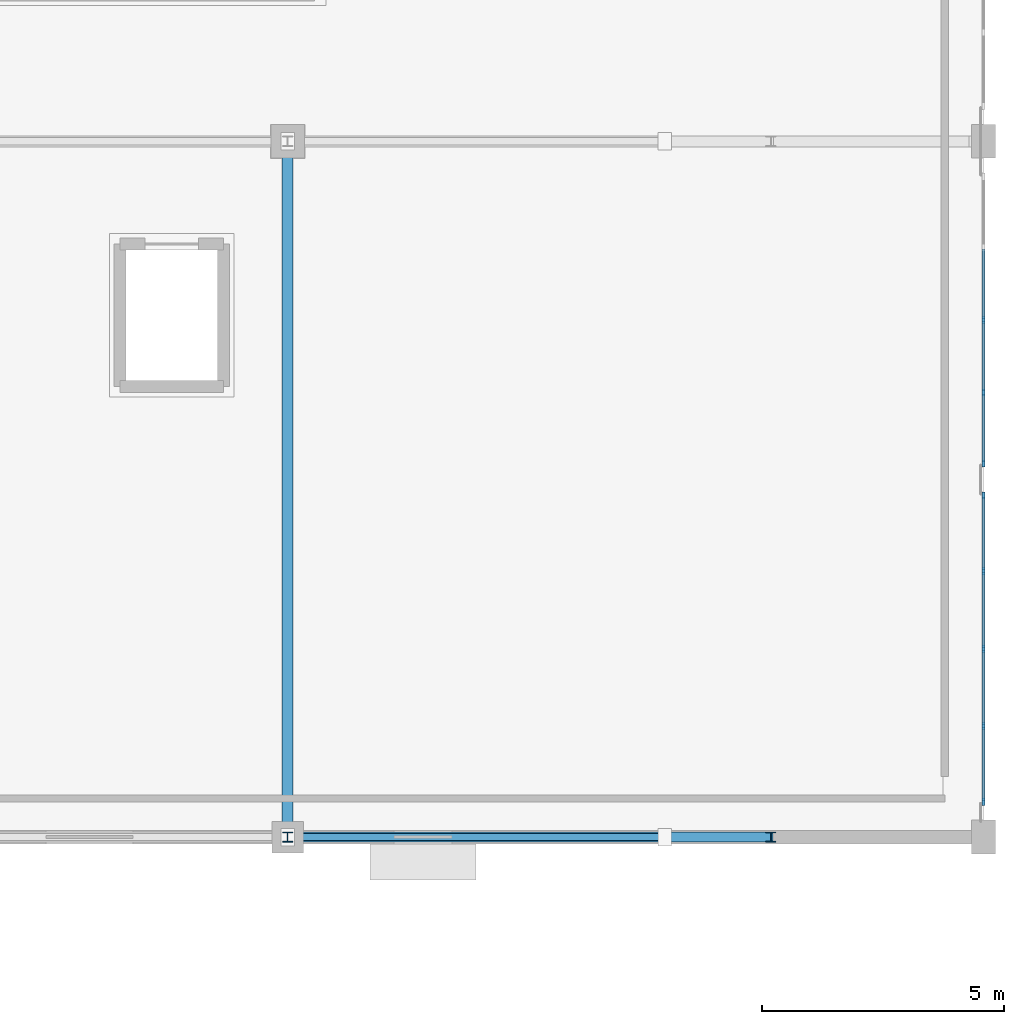
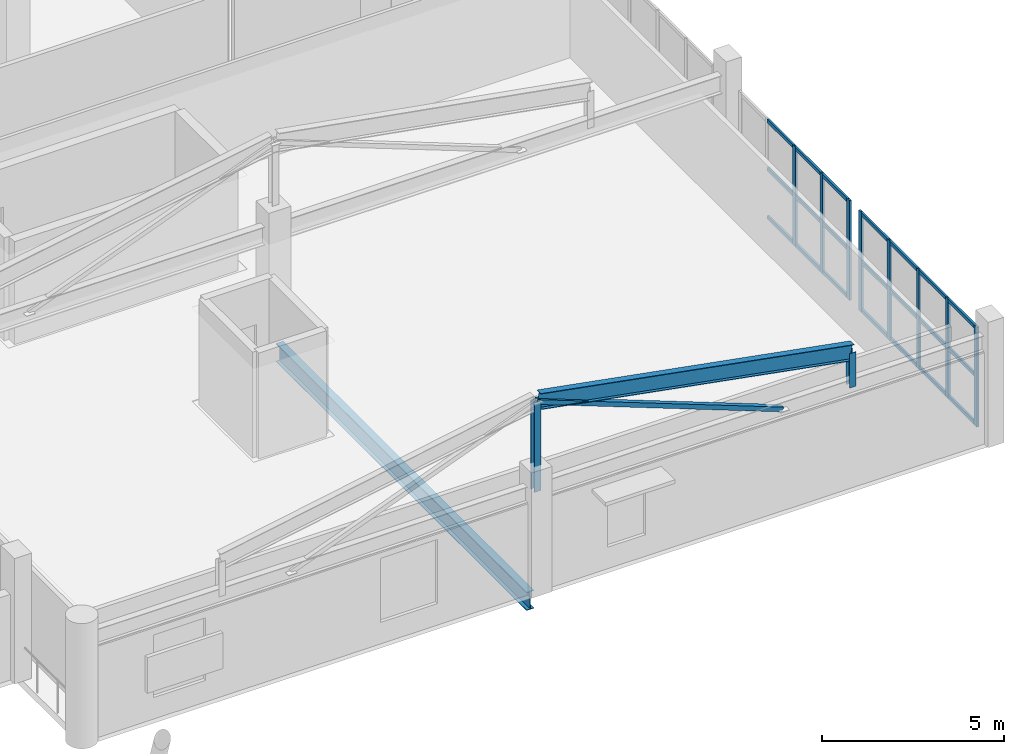
# One storey, part 33 of 92: 32 members, 2 beams, 2 elements without a shape of their own.
"""IFC4 building model written with IfcOpenShell, lengths in metres."""

from ifc_helpers import new_model, si_unit, direction, frame, origin, origin_2d, place, context, subcontext, project, spatial, rectangle, hollow_rectangle, i_section, extrude, material, material_profile, profile_set, type_object, element, aggregate, save


model = new_model("IFC4")

# Units and contexts
model_context = context("Model", 3, precision=1e-05, world=origin(), true_north=direction((0.0, 1.0)))
body_context = subcontext(model_context, "Body", "Model", "MODEL_VIEW")
ifc_project = project(units=[si_unit("LENGTHUNIT", "METRE"), si_unit("AREAUNIT", "SQUARE_METRE"), si_unit("VOLUMEUNIT", "CUBIC_METRE"), si_unit("PLANEANGLEUNIT", "RADIAN"), si_unit("MASSUNIT", "GRAM", prefix="KILO")], contexts=[model_context])

# Site, building, storey
site_placement = place(None, origin())
site = spatial("IfcSite", under=ifc_project, at=site_placement, CompositionType="ELEMENT")
building_placement = place(site_placement, origin())
building = spatial("IfcBuilding", under=site, at=building_placement, Name="Solanera Park Tramway Depot", CompositionType="ELEMENT")
storey_placement = place(building_placement, frame((0.0, 0.0, 4.800048828125)))
storey = spatial("IfcBuildingStorey", under=building, at=storey_placement, Name="L01", CompositionType="ELEMENT", Elevation=4.800048828125)

# Curtain wall, members
ifc_material_1 = material(Name="Bronze-anodised thermally broken aluminium curtain wall", Category="aluminium")
curtain_wall_type = type_object("IfcCurtainWallType", Name="Parkfront Loggia Curtain Wall", PredefinedType="NOTDEFINED", material=ifc_material_1)
curtain_wall_1_placement = place(storey_placement, origin())
curtain_wall_1 = element("IfcCurtainWall", 1, at=curtain_wall_1_placement, inside=storey, type_object=curtain_wall_type, Name="L01 Parkfront Loggia Curtain Wall #133", PredefinedType="NOTDEFINED")
ifc_material_2 = material(Name="Bronze-anodised structural aluminium 6063-T6", Category="aluminium")
ifc_material_profile_1 = material_profile(ifc_material_2, rectangle(XDim=0.06494140625, YDim=0.14990234375, at=origin_2d()), Name="Curtain Wall Mullion 65x150")
ifc_profile_set_1 = profile_set([ifc_material_profile_1], Name="Bronze-anodised structural aluminium 6063-T6")
member_type_1 = type_object("IfcMemberType", Name="Curtain Wall Mullion 65x150", PredefinedType="MULLION", material=ifc_profile_set_1)
member_1_placement = place(storey_placement, frame((216.0, 7.9326171875, 0.0), z_axis=(0.0, 0.0, 1.0), x_axis=(1.0, 0.0, 0.0)))
member_1 = element("IfcMember", 2, at=member_1_placement, type_object=member_type_1, Name="CW-L01-133 Mullion 1", PredefinedType="MULLION", context=body_context, shape_type="SweptSolid", body=[
    extrude(rectangle(XDim=0.06494140625, YDim=0.14990234375, at=origin_2d()), origin(), (0.0, 0.0, 1.0), 3.349853515625),
])
member_2_placement = place(storey_placement, frame((216.0, 9.5, 0.0), z_axis=(0.0, 0.0, 1.0), x_axis=(1.0, 0.0, 0.0)))
member_2 = element("IfcMember", 3, at=member_2_placement, type_object=member_type_1, Name="CW-L01-133 Mullion 2", PredefinedType="MULLION", context=body_context, shape_type="SweptSolid", body=[
    extrude(rectangle(XDim=0.06494140625, YDim=0.14990234375, at=origin_2d()), origin(), (0.0, 0.0, 1.0), 3.349853515625),
])
member_3_placement = place(storey_placement, frame((216.0, 11.10009765625, 0.0), z_axis=(0.0, 0.0, 1.0), x_axis=(1.0, 0.0, 0.0)))
member_3 = element("IfcMember", 4, at=member_3_placement, type_object=member_type_1, Name="CW-L01-133 Mullion 3", PredefinedType="MULLION", context=body_context, shape_type="SweptSolid", body=[
    extrude(rectangle(XDim=0.06494140625, YDim=0.14990234375, at=origin_2d()), origin(), (0.0, 0.0, 1.0), 3.349853515625),
])
member_4_placement = place(storey_placement, frame((216.0, 12.699951171875, 0.0), z_axis=(0.0, 0.0, 1.0), x_axis=(1.0, 0.0, 0.0)))
member_4 = element("IfcMember", 5, at=member_4_placement, type_object=member_type_1, Name="CW-L01-133 Mullion 4", PredefinedType="MULLION", context=body_context, shape_type="SweptSolid", body=[
    extrude(rectangle(XDim=0.06494140625, YDim=0.14990234375, at=origin_2d()), origin(), (0.0, 0.0, 1.0), 3.349853515625),
])
member_5_placement = place(storey_placement, frame((216.0, 14.267578125, 0.0), z_axis=(0.0, 0.0, 1.0), x_axis=(1.0, 0.0, 0.0)))
member_5 = element("IfcMember", 6, at=member_5_placement, type_object=member_type_1, Name="CW-L01-133 Mullion 5", PredefinedType="MULLION", context=body_context, shape_type="SweptSolid", body=[
    extrude(rectangle(XDim=0.06494140625, YDim=0.14990234375, at=origin_2d()), origin(), (0.0, 0.0, 1.0), 3.349853515625),
])

curtain_wall_2_placement = place(storey_placement, origin())
curtain_wall_2 = element("IfcCurtainWall", 7, at=curtain_wall_2_placement, inside=storey, type_object=curtain_wall_type, Name="L01 Parkfront Loggia Curtain Wall #134", PredefinedType="NOTDEFINED")
member_6_placement = place(storey_placement, frame((216.0, 14.9326171875, 0.0), z_axis=(0.0, 0.0, 1.0), x_axis=(1.0, 0.0, 0.0)))
member_6 = element("IfcMember", 8, at=member_6_placement, type_object=member_type_1, Name="CW-L01-134 Mullion 1", PredefinedType="MULLION", context=body_context, shape_type="SweptSolid", body=[
    extrude(rectangle(XDim=0.06494140625, YDim=0.14990234375, at=origin_2d()), origin(), (0.0, 0.0, 1.0), 3.349853515625),
])
member_7_placement = place(storey_placement, frame((216.0, 16.39990234375, 0.0), z_axis=(0.0, 0.0, 1.0), x_axis=(1.0, 0.0, 0.0)))
member_7 = element("IfcMember", 9, at=member_7_placement, type_object=member_type_1, Name="CW-L01-134 Mullion 2", PredefinedType="MULLION", context=body_context, shape_type="SweptSolid", body=[
    extrude(rectangle(XDim=0.06494140625, YDim=0.14990234375, at=origin_2d()), origin(), (0.0, 0.0, 1.0), 3.349853515625),
])
member_8_placement = place(storey_placement, frame((216.0, 17.89990234375, 0.0), z_axis=(0.0, 0.0, 1.0), x_axis=(1.0, 0.0, 0.0)))
member_8 = element("IfcMember", 10, at=member_8_placement, type_object=member_type_1, Name="CW-L01-134 Mullion 3", PredefinedType="MULLION", context=body_context, shape_type="SweptSolid", body=[
    extrude(rectangle(XDim=0.06494140625, YDim=0.14990234375, at=origin_2d()), origin(), (0.0, 0.0, 1.0), 3.349853515625),
])

# Member
ifc_material_3 = material(Name="Bronze-anodised structural aluminium 6063-T6", Category="aluminium")
ifc_material_profile_2 = material_profile(ifc_material_3, rectangle(XDim=0.06494140625, YDim=0.1201171875, at=origin_2d()), Name="Curtain Wall Transom 65x120")
ifc_profile_set_2 = profile_set([ifc_material_profile_2], Name="Bronze-anodised structural aluminium 6063-T6")
member_type_2 = type_object("IfcMemberType", Name="Curtain Wall Transom 65x120", PredefinedType="USERDEFINED", material=ifc_profile_set_2)
member_9_placement = place(storey_placement, frame((216.0, 7.96044921875, 0.06005859375), z_axis=(0.0, 1.0, 0.0), x_axis=(-1.0, 0.0, 0.0)))
member_9 = element("IfcMember", 11, at=member_9_placement, type_object=member_type_2, Name="CW-L01-133 Transom R1.C1", ObjectType="TRANSOM", PredefinedType="USERDEFINED", context=body_context, shape_type="SweptSolid", body=[
    extrude(rectangle(XDim=0.06494140625, YDim=0.1201171875, at=origin_2d()), origin(), (0.0, 0.0, 1.0), 1.511474609375),
])

member_10_placement = place(storey_placement, frame((216.0, 9.528076171875, 0.06005859375), z_axis=(0.0, 1.0, 0.0), x_axis=(-1.0, 0.0, 0.0)))
member_10 = element("IfcMember", 12, at=member_10_placement, type_object=member_type_2, Name="CW-L01-133 Transom R1.C2", ObjectType="TRANSOM", PredefinedType="USERDEFINED", context=body_context, shape_type="SweptSolid", body=[
    extrude(rectangle(XDim=0.06494140625, YDim=0.1201171875, at=origin_2d()), origin(), (0.0, 0.0, 1.0), 1.5439453125),
])

member_11_placement = place(storey_placement, frame((216.0, 11.1279296875, 0.06005859375), z_axis=(0.0, 1.0, 0.0), x_axis=(-1.0, 0.0, 0.0)))
member_11 = element("IfcMember", 13, at=member_11_placement, type_object=member_type_2, Name="CW-L01-133 Transom R1.C3", ObjectType="TRANSOM", PredefinedType="USERDEFINED", context=body_context, shape_type="SweptSolid", body=[
    extrude(rectangle(XDim=0.06494140625, YDim=0.1201171875, at=origin_2d()), origin(), (0.0, 0.0, 1.0), 1.544189453125),
])

member_12_placement = place(storey_placement, frame((216.0, 12.72802734375, 0.06005859375), z_axis=(0.0, 1.0, 0.0), x_axis=(-1.0, 0.0, 0.0)))
member_12 = element("IfcMember", 14, at=member_12_placement, type_object=member_type_2, Name="CW-L01-133 Transom R1.C4", ObjectType="TRANSOM", PredefinedType="USERDEFINED", context=body_context, shape_type="SweptSolid", body=[
    extrude(rectangle(XDim=0.06494140625, YDim=0.1201171875, at=origin_2d()), origin(), (0.0, 0.0, 1.0), 1.511474609375),
])

member_13_placement = place(storey_placement, frame((216.0, 7.96044921875, 1.675048828125), z_axis=(0.0, 1.0, 0.0), x_axis=(-1.0, 0.0, 0.0)))
member_13 = element("IfcMember", 15, at=member_13_placement, type_object=member_type_2, Name="CW-L01-133 Transom R2.C1", ObjectType="TRANSOM", PredefinedType="USERDEFINED", context=body_context, shape_type="SweptSolid", body=[
    extrude(rectangle(XDim=0.06494140625, YDim=0.1201171875, at=origin_2d()), origin(), (0.0, 0.0, 1.0), 1.511474609375),
])

member_14_placement = place(storey_placement, frame((216.0, 9.528076171875, 1.675048828125), z_axis=(0.0, 1.0, 0.0), x_axis=(-1.0, 0.0, 0.0)))
member_14 = element("IfcMember", 16, at=member_14_placement, type_object=member_type_2, Name="CW-L01-133 Transom R2.C2", ObjectType="TRANSOM", PredefinedType="USERDEFINED", context=body_context, shape_type="SweptSolid", body=[
    extrude(rectangle(XDim=0.06494140625, YDim=0.1201171875, at=origin_2d()), origin(), (0.0, 0.0, 1.0), 1.5439453125),
])

member_15_placement = place(storey_placement, frame((216.0, 11.1279296875, 1.675048828125), z_axis=(0.0, 1.0, 0.0), x_axis=(-1.0, 0.0, 0.0)))
member_15 = element("IfcMember", 17, at=member_15_placement, type_object=member_type_2, Name="CW-L01-133 Transom R2.C3", ObjectType="TRANSOM", PredefinedType="USERDEFINED", context=body_context, shape_type="SweptSolid", body=[
    extrude(rectangle(XDim=0.06494140625, YDim=0.1201171875, at=origin_2d()), origin(), (0.0, 0.0, 1.0), 1.544189453125),
])

member_16_placement = place(storey_placement, frame((216.0, 12.72802734375, 1.675048828125), z_axis=(0.0, 1.0, 0.0), x_axis=(-1.0, 0.0, 0.0)))
member_16 = element("IfcMember", 18, at=member_16_placement, type_object=member_type_2, Name="CW-L01-133 Transom R2.C4", ObjectType="TRANSOM", PredefinedType="USERDEFINED", context=body_context, shape_type="SweptSolid", body=[
    extrude(rectangle(XDim=0.06494140625, YDim=0.1201171875, at=origin_2d()), origin(), (0.0, 0.0, 1.0), 1.511474609375),
])

member_17_placement = place(storey_placement, frame((216.0, 7.96044921875, 3.2900390625), z_axis=(0.0, 1.0, 0.0), x_axis=(-1.0, 0.0, 0.0)))
member_17 = element("IfcMember", 19, at=member_17_placement, type_object=member_type_2, Name="CW-L01-133 Transom R3.C1", ObjectType="TRANSOM", PredefinedType="USERDEFINED", context=body_context, shape_type="SweptSolid", body=[
    extrude(rectangle(XDim=0.06494140625, YDim=0.1201171875, at=origin_2d()), origin(), (0.0, 0.0, 1.0), 1.511474609375),
])

member_18_placement = place(storey_placement, frame((216.0, 9.528076171875, 3.2900390625), z_axis=(0.0, 1.0, 0.0), x_axis=(-1.0, 0.0, 0.0)))
member_18 = element("IfcMember", 20, at=member_18_placement, type_object=member_type_2, Name="CW-L01-133 Transom R3.C2", ObjectType="TRANSOM", PredefinedType="USERDEFINED", context=body_context, shape_type="SweptSolid", body=[
    extrude(rectangle(XDim=0.06494140625, YDim=0.1201171875, at=origin_2d()), origin(), (0.0, 0.0, 1.0), 1.5439453125),
])

member_19_placement = place(storey_placement, frame((216.0, 11.1279296875, 3.2900390625), z_axis=(0.0, 1.0, 0.0), x_axis=(-1.0, 0.0, 0.0)))
member_19 = element("IfcMember", 21, at=member_19_placement, type_object=member_type_2, Name="CW-L01-133 Transom R3.C3", ObjectType="TRANSOM", PredefinedType="USERDEFINED", context=body_context, shape_type="SweptSolid", body=[
    extrude(rectangle(XDim=0.06494140625, YDim=0.1201171875, at=origin_2d()), origin(), (0.0, 0.0, 1.0), 1.544189453125),
])

member_20_placement = place(storey_placement, frame((216.0, 12.72802734375, 3.2900390625), z_axis=(0.0, 1.0, 0.0), x_axis=(-1.0, 0.0, 0.0)))
member_20 = element("IfcMember", 22, at=member_20_placement, type_object=member_type_2, Name="CW-L01-133 Transom R3.C4", ObjectType="TRANSOM", PredefinedType="USERDEFINED", context=body_context, shape_type="SweptSolid", body=[
    extrude(rectangle(XDim=0.06494140625, YDim=0.1201171875, at=origin_2d()), origin(), (0.0, 0.0, 1.0), 1.511474609375),
])

aggregate(curtain_wall_1, [member_1, member_2, member_3, member_4, member_5, member_9, member_10, member_11, member_12, member_13, member_14, member_15, member_16, member_17, member_18, member_19, member_20])

member_21_placement = place(storey_placement, frame((216.0, 14.96044921875, 0.06005859375), z_axis=(0.0, 1.0, 0.0), x_axis=(-1.0, 0.0, 0.0)))
member_21 = element("IfcMember", 23, at=member_21_placement, type_object=member_type_2, Name="CW-L01-134 Transom R1.C1", ObjectType="TRANSOM", PredefinedType="USERDEFINED", context=body_context, shape_type="SweptSolid", body=[
    extrude(rectangle(XDim=0.06494140625, YDim=0.1201171875, at=origin_2d()), origin(), (0.0, 0.0, 1.0), 1.41162109375),
])

member_22_placement = place(storey_placement, frame((216.0, 16.427978515625, 0.06005859375), z_axis=(0.0, 1.0, 0.0), x_axis=(-1.0, 0.0, 0.0)))
member_22 = element("IfcMember", 24, at=member_22_placement, type_object=member_type_2, Name="CW-L01-134 Transom R1.C2", ObjectType="TRANSOM", PredefinedType="USERDEFINED", context=body_context, shape_type="SweptSolid", body=[
    extrude(rectangle(XDim=0.06494140625, YDim=0.1201171875, at=origin_2d()), origin(), (0.0, 0.0, 1.0), 1.444091796875),
])

member_23_placement = place(storey_placement, frame((216.0, 17.927978515625, 0.06005859375), z_axis=(0.0, 1.0, 0.0), x_axis=(-1.0, 0.0, 0.0)))
member_23 = element("IfcMember", 25, at=member_23_placement, type_object=member_type_2, Name="CW-L01-134 Transom R1.C3", ObjectType="TRANSOM", PredefinedType="USERDEFINED", context=body_context, shape_type="SweptSolid", body=[
    extrude(rectangle(XDim=0.06494140625, YDim=0.1201171875, at=origin_2d()), origin(), (0.0, 0.0, 1.0), 1.444091796875),
])

member_24_placement = place(storey_placement, frame((216.0, 14.96044921875, 1.675048828125), z_axis=(0.0, 1.0, 0.0), x_axis=(-1.0, 0.0, 0.0)))
member_24 = element("IfcMember", 26, at=member_24_placement, type_object=member_type_2, Name="CW-L01-134 Transom R2.C1", ObjectType="TRANSOM", PredefinedType="USERDEFINED", context=body_context, shape_type="SweptSolid", body=[
    extrude(rectangle(XDim=0.06494140625, YDim=0.1201171875, at=origin_2d()), origin(), (0.0, 0.0, 1.0), 1.41162109375),
])

member_25_placement = place(storey_placement, frame((216.0, 16.427978515625, 1.675048828125), z_axis=(0.0, 1.0, 0.0), x_axis=(-1.0, 0.0, 0.0)))
member_25 = element("IfcMember", 27, at=member_25_placement, type_object=member_type_2, Name="CW-L01-134 Transom R2.C2", ObjectType="TRANSOM", PredefinedType="USERDEFINED", context=body_context, shape_type="SweptSolid", body=[
    extrude(rectangle(XDim=0.06494140625, YDim=0.1201171875, at=origin_2d()), origin(), (0.0, 0.0, 1.0), 1.444091796875),
])

member_26_placement = place(storey_placement, frame((216.0, 17.927978515625, 1.675048828125), z_axis=(0.0, 1.0, 0.0), x_axis=(-1.0, 0.0, 0.0)))
member_26 = element("IfcMember", 28, at=member_26_placement, type_object=member_type_2, Name="CW-L01-134 Transom R2.C3", ObjectType="TRANSOM", PredefinedType="USERDEFINED", context=body_context, shape_type="SweptSolid", body=[
    extrude(rectangle(XDim=0.06494140625, YDim=0.1201171875, at=origin_2d()), origin(), (0.0, 0.0, 1.0), 1.444091796875),
])

member_27_placement = place(storey_placement, frame((216.0, 14.96044921875, 3.2900390625), z_axis=(0.0, 1.0, 0.0), x_axis=(-1.0, 0.0, 0.0)))
member_27 = element("IfcMember", 29, at=member_27_placement, type_object=member_type_2, Name="CW-L01-134 Transom R3.C1", ObjectType="TRANSOM", PredefinedType="USERDEFINED", context=body_context, shape_type="SweptSolid", body=[
    extrude(rectangle(XDim=0.06494140625, YDim=0.1201171875, at=origin_2d()), origin(), (0.0, 0.0, 1.0), 1.41162109375),
])

member_28_placement = place(storey_placement, frame((216.0, 16.427978515625, 3.2900390625), z_axis=(0.0, 1.0, 0.0), x_axis=(-1.0, 0.0, 0.0)))
member_28 = element("IfcMember", 30, at=member_28_placement, type_object=member_type_2, Name="CW-L01-134 Transom R3.C2", ObjectType="TRANSOM", PredefinedType="USERDEFINED", context=body_context, shape_type="SweptSolid", body=[
    extrude(rectangle(XDim=0.06494140625, YDim=0.1201171875, at=origin_2d()), origin(), (0.0, 0.0, 1.0), 1.444091796875),
])

member_29_placement = place(storey_placement, frame((216.0, 17.927978515625, 3.2900390625), z_axis=(0.0, 1.0, 0.0), x_axis=(-1.0, 0.0, 0.0)))
member_29 = element("IfcMember", 31, at=member_29_placement, type_object=member_type_2, Name="CW-L01-134 Transom R3.C3", ObjectType="TRANSOM", PredefinedType="USERDEFINED", context=body_context, shape_type="SweptSolid", body=[
    extrude(rectangle(XDim=0.06494140625, YDim=0.1201171875, at=origin_2d()), origin(), (0.0, 0.0, 1.0), 1.444091796875),
])

aggregate(curtain_wall_2, [member_6, member_7, member_8, member_21, member_22, member_23, member_24, member_25, member_26, member_27, member_28, member_29])

# Members
ifc_material_4 = material(Name="Steel AS/NZS 3679.1 Grade 350", Category="steel")
ifc_material_profile_3 = material_profile(ifc_material_4, i_section(OverallWidth=0.205078125, OverallDepth=0.209716796875, WebThickness=0.00927734375, FlangeThickness=0.01416015625, at=origin_2d()), Name="200UC59.5")
ifc_profile_set_3 = profile_set([ifc_material_profile_3], Name="Steel AS/NZS 3679.1 Grade 350")
member_type_3 = type_object("IfcMemberType", Name="Roof Gantry Compression Strut 200UC59.5", PredefinedType="STRUT", material=ifc_profile_set_3)
member_30_placement = place(storey_placement, frame((211.60009765625, 7.199951171875, 3.33837890625), z_axis=(0.0, 0.0, 1.0), x_axis=(1.0, 0.0, 0.0)))
element("IfcMember", 32, at=member_30_placement, inside=storey, type_object=member_type_3, Name="Hip ROOF TRUSS Heel Post #0174", PredefinedType="STRUT", context=body_context, shape_type="SweptSolid", body=[
    extrude(i_section(OverallWidth=0.205078125, OverallDepth=0.209716796875, WebThickness=0.00927734375, FlangeThickness=0.01416015625, at=origin_2d()), origin(), (0.0, 0.0, 1.0), 1.148193359375),
])
member_31_placement = place(storey_placement, frame((201.60009765625, 7.199951171875, 3.33837890625), z_axis=(0.0, 0.0, 1.0), x_axis=(1.0, 0.0, 0.0)))
element("IfcMember", 33, at=member_31_placement, inside=storey, type_object=member_type_3, Name="Hip ROOF TRUSS King Post #0175", PredefinedType="STRUT", context=body_context, shape_type="SweptSolid", body=[
    extrude(i_section(OverallWidth=0.205078125, OverallDepth=0.209716796875, WebThickness=0.00927734375, FlangeThickness=0.01416015625, at=origin_2d()), origin(), (0.0, 0.0, 1.0), 2.982421875),
])

# Beams
ifc_material_5 = material(Name="Steel AS/NZS 3679.1 Grade 350", Category="steel")
ifc_material_profile_4 = material_profile(ifc_material_5, i_section(OverallWidth=0.209228515625, OverallDepth=0.532958984375, WebThickness=0.01025390625, FlangeThickness=0.015625, at=origin_2d()), Name="530UB92.4")
ifc_profile_set_4 = profile_set([ifc_material_profile_4], Name="Steel AS/NZS 3679.1 Grade 350")
beam_type_1 = type_object("IfcBeamType", Name="Steel Beam 530UB92.4", PredefinedType="BEAM", material=ifc_profile_set_4)
beam_1_placement = place(storey_placement, frame((201.659912109375, 7.199951171875, 6.32080078125), z_axis=(0.983397766608, 0.0, -0.181463033784), x_axis=(0.0, 1.0, 0.0)))
element("IfcBeam", 34, at=beam_1_placement, inside=storey, type_object=beam_type_1, Name="L01 Hip ROOF TRUSS Rafter 530UB92.4 #1124", PredefinedType="BEAM", context=body_context, shape_type="SweptSolid", body=[
    extrude(i_section(OverallWidth=0.209228515625, OverallDepth=0.532958984375, WebThickness=0.01025390625, FlangeThickness=0.015625, at=origin_2d()), origin(), (0.0, 0.0, 1.0), 10.10791015625),
])
ifc_material_6 = material(Name="Steel AS/NZS 3679.1 Grade 350", Category="steel")
ifc_material_profile_5 = material_profile(ifc_material_6, i_section(OverallWidth=0.22900390625, OverallDepth=0.611572265625, WebThickness=0.011962890625, FlangeThickness=0.01953125, at=origin_2d()), Name="610UB125")
ifc_profile_set_5 = profile_set([ifc_material_profile_5], Name="Steel AS/NZS 3679.1 Grade 350")
beam_type_2 = type_object("IfcBeamType", Name="Steel Beam 610UB125", PredefinedType="BEAM", material=ifc_profile_set_5)
beam_2_placement = place(storey_placement, frame((201.60009765625, 7.5, -0.559814453125), z_axis=(0.0, 1.0, 0.0), x_axis=(-1.0, 0.0, 0.0)))
element("IfcBeam", 35, at=beam_2_placement, inside=storey, type_object=beam_type_2, Name="L01 Primary Y-Girder 610UB125 #0084", PredefinedType="BEAM", context=body_context, shape_type="SweptSolid", body=[
    extrude(i_section(OverallWidth=0.22900390625, OverallDepth=0.611572265625, WebThickness=0.011962890625, FlangeThickness=0.01953125, at=origin_2d()), origin(), (0.0, 0.0, 1.0), 13.77490234375),
])

# Member
ifc_material_7 = material(Name="Steel AS/NZS 1163 Grade C350L0", Category="steel")
ifc_material_profile_6 = material_profile(ifc_material_7, hollow_rectangle(XDim=0.14990234375, YDim=0.14990234375, WallThickness=0.006103515625, at=origin_2d()), Name="150x150x6.0 SHS")
ifc_profile_set_6 = profile_set([ifc_material_profile_6], Name="Steel AS/NZS 1163 Grade C350L0")
member_type_4 = type_object("IfcMemberType", Name="Truss and Frame Brace 150x150x6.0 SHS", PredefinedType="BRACE", material=ifc_profile_set_6)
member_32_placement = place(storey_placement, frame((209.39990234375, 7.199951171875, 3.33837890625), z_axis=(-0.934046097767, 0.0, 0.357152470587), x_axis=(0.0, -1.0, 0.0)))
element("IfcMember", 36, at=member_32_placement, inside=storey, type_object=member_type_4, Name="Hip ROOF TRUSS Web #0490", PredefinedType="BRACE", context=body_context, shape_type="SweptSolid", body=[
    extrude(hollow_rectangle(XDim=0.14990234375, YDim=0.14990234375, WallThickness=0.006103515625, at=origin_2d()), origin(), (0.0, 0.0, 1.0), 8.3505859375),
])

save(model, "model.ifc")
